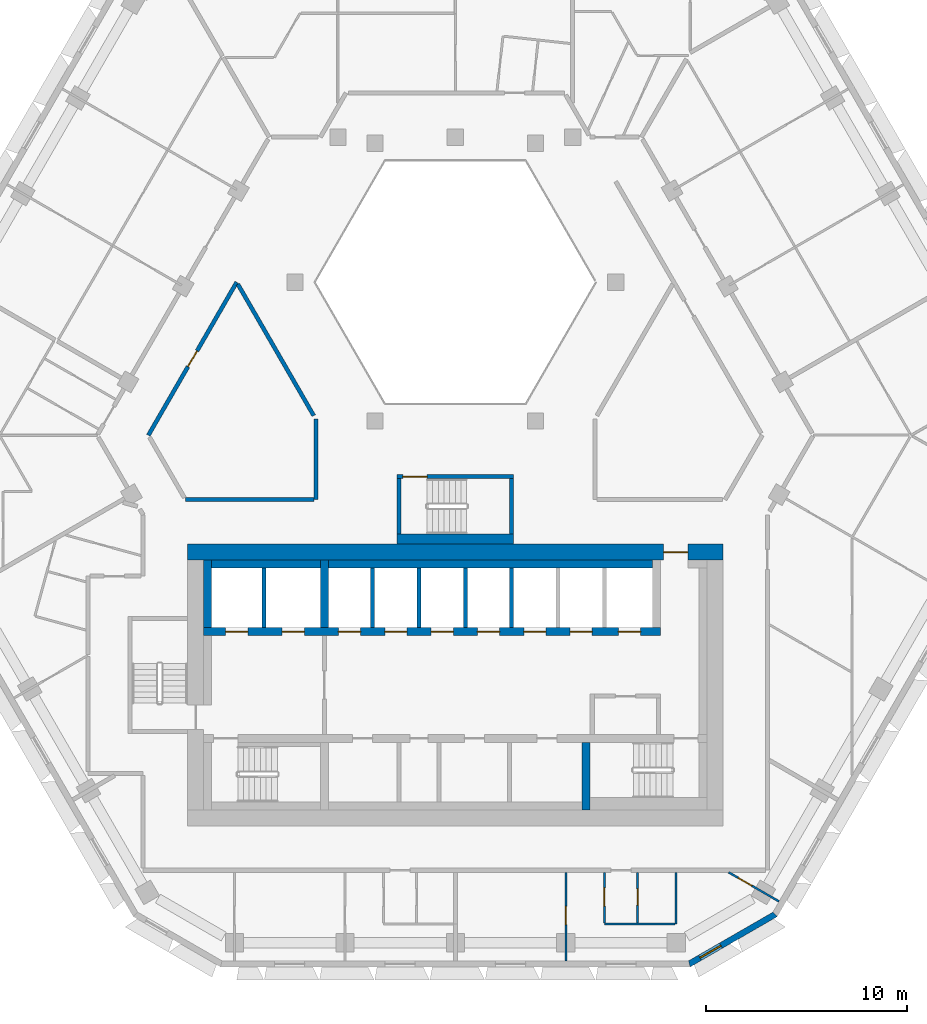
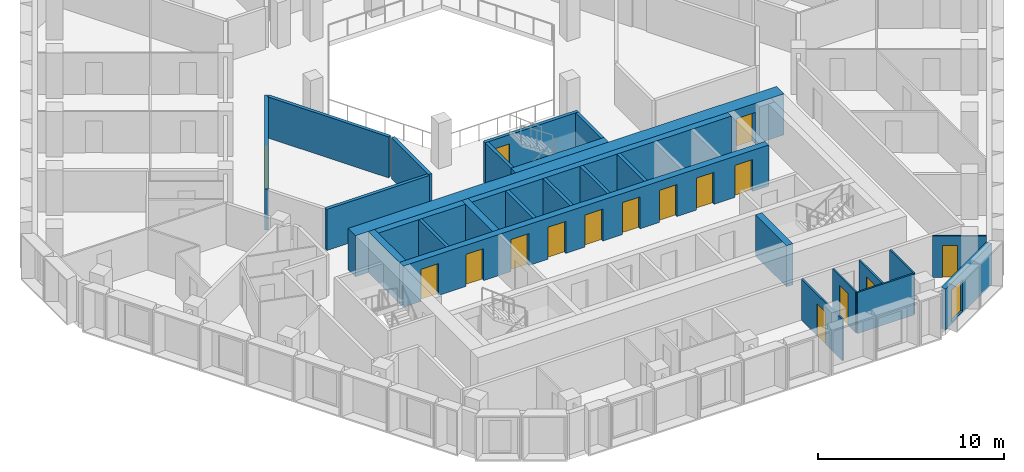
# One storey, part 5 of 15: 27 walls, 16 doors, 1 window, 17 openings.
"""IFC4 building model written with IfcOpenShell, lengths in metres."""

import ifcopenshell
import ifcopenshell.guid

model = None  # the IFC model being written
_history = None  # IfcOwnerHistory: only IFC2X3 demands one
_inside = {}  # id of a spatial element -> (the spatial element, [elements in it])
_under = {}  # id of a project, library or spatial element -> (it, [spatial elements below it])
_declared = {}  # id of a project -> (the project, [libraries it declares])
_typed = {}  # id of a type object -> (the type object, [elements of that type])
_made_of = {}  # id of a material, layer set ... -> (it, [elements and type objects made of it])


def new_model(schema):
    """Start an empty IFC model of exactly this schema.

    Asked for "IFC4X3", IfcOpenShell would pick the latest addendum, in which some entities
    have other attributes; the version numbers below select the first issue.
    IFC2X3 requires an IfcOwnerHistory on every rooted entity: one is made here for all.
    """
    global model, _history
    if schema == "IFC4X3":
        model = ifcopenshell.file(schema_version=(4, 3, 0, 0))
    else:
        model = ifcopenshell.file(schema=schema)
    _inside.clear()
    _under.clear()
    _declared.clear()
    _typed.clear()
    _made_of.clear()
    _history = None
    if model.schema == "IFC2X3":
        org = make("IfcOrganization", Name="unknown")
        user = make(
            "IfcPersonAndOrganization",
            ThePerson=make("IfcPerson", FamilyName="unknown"),
            TheOrganization=org,
        )
        app = make(
            "IfcApplication",
            ApplicationDeveloper=org,
            Version="unknown",
            ApplicationFullName="unknown",
            ApplicationIdentifier="unknown",
        )
        _history = make(
            "IfcOwnerHistory",
            OwningUser=user,
            OwningApplication=app,
            ChangeAction="ADDED",
            CreationDate=0,
        )
    return model


def make(cls, **values):
    """One entity of the class cls with the attributes given. An attribute that is None is left unset."""
    return model.create_entity(
        cls, **{name: value for name, value in values.items() if value is not None}
    )


def rooted(cls, **values):
    """An entity with a GlobalId (a new one), such as an element, a storey or a relation."""
    return make(cls, GlobalId=ifcopenshell.guid.new(), OwnerHistory=_history, **values)


def si_unit(unit_type, name, prefix=None):
    """IfcSIUnit, for example si_unit("LENGTHUNIT", "METRE", prefix="MILLI")."""
    return make("IfcSIUnit", UnitType=unit_type, Prefix=prefix, Name=name)


def assignment(units):
    """IfcUnitAssignment: the units of a project."""
    return None if units is None else make("IfcUnitAssignment", Units=units)


def point(xyz):
    """IfcCartesianPoint."""
    return None if xyz is None else make("IfcCartesianPoint", Coordinates=xyz)


def direction(xyz):
    """IfcDirection."""
    return None if xyz is None else make("IfcDirection", DirectionRatios=xyz)


def frame(location, z_axis=None, x_axis=None):
    """IfcAxis2Placement3D, a coordinate frame: its origin and axes. An axis left out is left unset."""
    return make(
        "IfcAxis2Placement3D",
        Location=point(location),
        Axis=direction(z_axis),
        RefDirection=direction(x_axis),
    )


def frame_2d(location, x_axis=None):
    """IfcAxis2Placement2D, a coordinate frame in the plane: its origin and x axis."""
    return make(
        "IfcAxis2Placement2D", Location=point(location), RefDirection=direction(x_axis)
    )


def origin():
    """The frame at (0, 0, 0) with its axes left unset."""
    return frame((0.0, 0.0, 0.0))


def place(relative_to, where):
    """IfcLocalPlacement: puts the frame where relative to a parent placement (None: the world)."""
    return make(
        "IfcLocalPlacement", PlacementRelTo=relative_to, RelativePlacement=where
    )


def context(
    kind, dimensions, precision=None, world=None, true_north=None, identifier=None
):
    """IfcGeometricRepresentationContext, for example the 3D "Model" context."""
    return make(
        "IfcGeometricRepresentationContext",
        ContextIdentifier=identifier,
        ContextType=kind,
        CoordinateSpaceDimension=dimensions,
        Precision=precision,
        WorldCoordinateSystem=world,
        TrueNorth=true_north,
    )


def subcontext(parent, identifier, kind, view, scale=None):
    """IfcGeometricRepresentationSubContext, for example "Body" below "Model"."""
    return make(
        "IfcGeometricRepresentationSubContext",
        ContextIdentifier=identifier,
        ContextType=kind,
        ParentContext=parent,
        TargetScale=scale,
        TargetView=view,
    )


def project(units=None, contexts=None):
    """IfcProject with its units and contexts."""
    return rooted(
        "IfcProject",
        Name="project",
        RepresentationContexts=contexts,
        UnitsInContext=assignment(units),
    )


def spatial(cls, under=None, at=None, **own):
    """A site, building, storey or space (cls), placed at a placement, below another one or the project."""
    s = rooted(cls, ObjectPlacement=at, **own)
    if under is not None:
        _under.setdefault(under.id(), (under, []))[1].append(s)
    return s


def polyline(points):
    """IfcPolyline through the points."""
    return make("IfcPolyline", Points=[point(p) for p in points])


def profile(cls, at=None, kind="AREA", **sizes):
    """A parametric profile (cls). Its sizes go by their IFC names, for example OverallWidth=200.0."""
    return make(cls, ProfileType=kind, Position=at, **sizes)


def rectangle(**sizes):
    """IfcRectangleProfileDef."""
    return profile("IfcRectangleProfileDef", **sizes)


def outline(outer, holes=None, kind="AREA"):
    """IfcArbitraryClosedProfileDef: a profile drawn as a closed curve; with holes, ...WithVoids."""
    if holes is None:
        return make("IfcArbitraryClosedProfileDef", ProfileType=kind, OuterCurve=outer)
    return make(
        "IfcArbitraryProfileDefWithVoids",
        ProfileType=kind,
        OuterCurve=outer,
        InnerCurves=holes,
    )


def extrude(swept, where, along, depth):
    """IfcExtrudedAreaSolid: the profile swept, set in the frame where, extruded along a direction by depth."""
    return make(
        "IfcExtrudedAreaSolid",
        SweptArea=swept,
        Position=where,
        ExtrudedDirection=direction(along),
        Depth=depth,
    )


def shape(context_of_items, identifier, shape_type, items):
    """IfcShapeRepresentation: the items that make up one representation, for example the "Body"."""
    return make(
        "IfcShapeRepresentation",
        ContextOfItems=context_of_items,
        RepresentationIdentifier=identifier,
        RepresentationType=shape_type,
        Items=items,
    )


def material(Name=None, Category=None):
    """IfcMaterial."""
    return make("IfcMaterial", Name=Name, Category=Category)


def layer(
    of_material, thickness, ventilated=None, Name=None, Category=None, Priority=None
):
    """IfcMaterialLayer: one layer of a wall or slab, of a material (None: an air gap)."""
    return make(
        "IfcMaterialLayer",
        Material=of_material,
        LayerThickness=thickness,
        IsVentilated=ventilated,
        Name=Name,
        Category=Category,
        Priority=Priority,
    )


def layer_set(layers, Name=None):
    """IfcMaterialLayerSet."""
    return make("IfcMaterialLayerSet", MaterialLayers=layers, LayerSetName=Name)


def made_of(thing, what):
    """Note that an element or type object is made of a material, layer set ...; save() writes the relation."""
    if what is not None:
        _made_of.setdefault(what.id(), (what, []))[1].append(thing)
    return thing


def type_object(cls, material=None, **own):
    """A type object (cls), such as IfcWallType, which elements share."""
    return made_of(rooted(cls, **own), material)


def element(
    cls,
    number,
    at=None,
    inside=None,
    cuts=None,
    type_object=None,
    material=None,
    context=None,
    identifier="Body",
    shape_type=None,
    held_by="IfcProductDefinitionShape",
    body=None,
    shapes=None,
    **own,
):
    """One element of the class cls, such as IfcWall. Its Tag is "e" and its number.

    at: its placement. inside: the storey or other place that contains it. cuts: it is an
    opening in that element (IfcRelVoidsElement). A single representation is given by context,
    identifier, shape_type and body (its items); several are given by shapes. held_by: the class
    of the entity that holds the representations. save() writes the other relations.
    """
    e = rooted(cls, Tag="e%d" % number, ObjectPlacement=at, **own)
    if body is not None:
        shapes = [shape(context, identifier, shape_type, body)]
    if shapes is not None:
        e.Representation = make(held_by, Representations=shapes)
    if inside is not None:
        _inside.setdefault(inside.id(), (inside, []))[1].append(e)
    if cuts is not None:
        rooted(
            "IfcRelVoidsElement", RelatingBuildingElement=cuts, RelatedOpeningElement=e
        )
    if type_object is not None:
        _typed.setdefault(type_object.id(), (type_object, []))[1].append(e)
    return made_of(e, material)


def fill(opening, filler):
    """IfcRelFillsElement: the door or window that sits in an opening."""
    return rooted(
        "IfcRelFillsElement",
        RelatingOpeningElement=opening,
        RelatedBuildingElement=filler,
    )


def aggregate(whole, parts):
    """IfcRelAggregates: a whole, such as a stair, and the parts it consists of."""
    return rooted("IfcRelAggregates", RelatingObject=whole, RelatedObjects=parts)


def save(model, path):
    """Write the relations noted so far, then the file.

    IfcRelAggregates (storeys below a building ...), IfcRelContainedInSpatialStructure (elements
    in a storey), IfcRelDefinesByType, IfcRelAssociatesMaterial and IfcRelDeclares: one each for
    every whole, place, type object, material and project.
    """
    for whole, parts in _under.values():
        aggregate(whole, parts)
    for where, things in _inside.values():
        rooted(
            "IfcRelContainedInSpatialStructure",
            RelatedElements=things,
            RelatingStructure=where,
        )
    for kind, things in _typed.values():
        rooted("IfcRelDefinesByType", RelatedObjects=things, RelatingType=kind)
    for what, things in _made_of.values():
        rooted("IfcRelAssociatesMaterial", RelatedObjects=things, RelatingMaterial=what)
    for by, libraries in _declared.values():
        rooted("IfcRelDeclares", RelatingContext=by, RelatedDefinitions=libraries)
    model.write(path)


model = new_model("IFC4")

# Units and contexts
model_context = context("Model", 3, precision=1e-05, world=origin(), true_north=direction((0.0, 1.0)))
body_context = subcontext(model_context, "Body", "Model", "MODEL_VIEW")
ifc_project = project(units=[si_unit("LENGTHUNIT", "METRE"), si_unit("AREAUNIT", "SQUARE_METRE"), si_unit("VOLUMEUNIT", "CUBIC_METRE"), si_unit("PLANEANGLEUNIT", "RADIAN"), si_unit("MASSUNIT", "GRAM", prefix="KILO")], contexts=[model_context])

# Site, building, storey
site_placement = place(None, origin())
site = spatial("IfcSite", under=ifc_project, at=site_placement, CompositionType="ELEMENT")
building_placement = place(site_placement, origin())
building = spatial("IfcBuilding", under=site, at=building_placement, Name="Beryl Residences", CompositionType="ELEMENT")
storey_placement = place(building_placement, frame((0.0, 0.0, 129.60009765625)))
storey = spatial("IfcBuildingStorey", under=building, at=storey_placement, Name="L39", CompositionType="ELEMENT", Elevation=129.60009765625)

# Wall, opening, window
ifc_material_1 = material(Name="Composite metal panel with mineral wool insulation")
ifc_layer_1 = layer(ifc_material_1, 0.300048828125)
ifc_layer_set_1 = layer_set([ifc_layer_1], Name="ES1 pale metal composite panel wall 300 mm")
wall_type_1 = type_object("IfcWallType", Name="ES1 pale metal composite panel wall 300 mm", PredefinedType="SOLIDWALL", material=ifc_layer_set_1)
wall_1_placement = place(storey_placement, frame((11.5869140625, -25.8701171875, 0.0), z_axis=(0.0, 0.0, 1.0), x_axis=(0.866022959057, 0.500004234368, 0.0)))
wall_1 = element("IfcWall", 1, at=wall_1_placement, inside=storey, type_object=wall_type_1, Name="ES1 external wall L39 S-SE", PredefinedType="SOLIDWALL", context=body_context, shape_type="SweptSolid", body=[
    extrude(outline(polyline([(0.0, -0.14990234375), (5.0, -0.14990234375), (4.919677734375, 0.14990234375), (0.080322265625, 0.14990234375), (0.0, -0.14990234375)])), origin(), (0.0, 0.0, 1.0), 2.699951171875),
])
opening_1_placement = place(wall_1_placement, frame((0.64990234375, 0.0, 0.14990234375)))
opening_1 = element("IfcOpeningElement", 2, at=opening_1_placement, cuts=wall_1, Name="Opening W2", PredefinedType="OPENING", context=body_context, shape_type="SweptSolid", body=[
    extrude(rectangle(XDim=1.199951171875, YDim=2.10009765625, at=frame_2d((0.60009765625, 1.050048828125))), frame((0.0, 0.159912109375, 0.0), z_axis=(0.0, -1.0, 0.0), x_axis=(1.0, 0.0, 0.0)), (0.0, 0.0, 1.0), 0.320068359375),
])
ifc_material_2 = material(Name="Aluminium and clear glass", Category="aluminium")
window_type = type_object("IfcWindowType", Name="W2 chamfer window 1200 x 2100 mm", PartitioningType="SINGLE_PANEL", PredefinedType="WINDOW", material=ifc_material_2)
window_placement = place(opening_1_placement, origin())
window = element("IfcWindow", 3, at=window_placement, inside=storey, type_object=window_type, Name="W2 window L39 S-SE 1", OverallHeight=2.10009765625, OverallWidth=1.199951171875, PartitioningType="SINGLE_PANEL", PredefinedType="WINDOW", context=body_context, shape_type="SweptSolid", body=[
    extrude(rectangle(XDim=1.199951171875, YDim=2.10009765625, at=frame_2d((0.60009765625, 1.050048828125))), frame((0.0, 0.030029296875, 0.0), z_axis=(0.0, -1.0, 0.0), x_axis=(1.0, 0.0, 0.0)), (0.0, 0.0, 1.0), 0.06005859375),
])
fill(opening_1, window)

# Wall, opening, door
ifc_material_3 = material(Name="Gypsum board partition on steel studs", Category="steel")
ifc_layer_2 = layer(ifc_material_3, 0.10009765625)
ifc_layer_set_2 = layer_set([ifc_layer_2], Name="PT1 partition 100 mm gypsum board on steel studs")
wall_type_2 = type_object("IfcWallType", Name="PT1 partition 100 mm gypsum board on steel studs", PredefinedType="PARTITIONING", material=ifc_layer_set_2)
wall_2_placement = place(storey_placement, frame((7.406005859375, -21.300048828125, 0.0), z_axis=(0.0, 0.0, 1.0), x_axis=(0.0, -1.0, 0.0)))
wall_2 = element("IfcWall", 4, at=wall_2_placement, inside=storey, type_object=wall_type_2, Name="Wall PT1 L39 008", PredefinedType="PARTITIONING", context=body_context, shape_type="SweptSolid", body=[
    extrude(rectangle(XDim=2.509033203125, YDim=0.10009765625, at=frame_2d((1.25439453125, 0.0))), origin(), (0.0, 0.0, 1.0), 2.699951171875),
])
opening_2_placement = place(wall_2_placement, frame((0.780029296875, 0.0, 0.0)))
opening_2 = element("IfcOpeningElement", 5, at=opening_2_placement, cuts=wall_2, Name="Opening D1207", PredefinedType="OPENING", context=body_context, shape_type="SweptSolid", body=[
    extrude(rectangle(XDim=0.89990234375, YDim=2.10009765625, at=frame_2d((0.449951171875, 1.050048828125))), frame((0.0, 0.06005859375, 0.0), z_axis=(0.0, -1.0, 0.0), x_axis=(1.0, 0.0, 0.0)), (0.0, 0.0, 1.0), 0.1201171875),
])
ifc_material_4 = material(Name="Timber door leaf", Category="wood")
door_type_1 = type_object("IfcDoorType", Name="D2 room door 900 x 2100 mm", OperationType="SINGLE_SWING_LEFT", PredefinedType="DOOR", material=ifc_material_4)
door_1_placement = place(opening_2_placement, origin())
door_1 = element("IfcDoor", 6, at=door_1_placement, inside=storey, type_object=door_type_1, Name="Door D1207 L39 001", OperationType="SINGLE_SWING_LEFT", OverallHeight=2.10009765625, OverallWidth=0.89990234375, PredefinedType="DOOR", context=body_context, shape_type="SweptSolid", body=[
    extrude(rectangle(XDim=0.89990234375, YDim=2.10009765625, at=frame_2d((0.449951171875, 1.050048828125))), frame((0.0, 0.02490234375, 0.0), z_axis=(0.0, -1.0, 0.0), x_axis=(1.0, 0.0, 0.0)), (0.0, 0.0, 1.0), 0.050048828125),
])
fill(opening_2, door_1)

wall_3_placement = place(storey_placement, frame((13.568115234375, -21.300048828125, 0.0), z_axis=(0.0, 0.0, 1.0), x_axis=(0.865885342641, -0.500242514586, 0.0)))
wall_3 = element("IfcWall", 7, at=wall_3_placement, inside=storey, type_object=wall_type_2, Name="Wall PT1 L39 014", PredefinedType="PARTITIONING", context=body_context, shape_type="SweptSolid", body=[
    extrude(rectangle(XDim=2.8984375, YDim=0.10009765625, at=frame_2d((1.44921875, 0.0))), origin(), (0.0, 0.0, 1.0), 2.699951171875),
])
opening_3_placement = place(wall_3_placement, frame((0.550048828125, 0.0, 0.0)))
opening_3 = element("IfcOpeningElement", 8, at=opening_3_placement, cuts=wall_3, Name="Opening D1210", PredefinedType="OPENING", context=body_context, shape_type="SweptSolid", body=[
    extrude(rectangle(XDim=0.800048828125, YDim=2.10009765625, at=frame_2d((0.39990234375, 1.050048828125))), frame((0.0, 0.06005859375, 0.0), z_axis=(0.0, -1.0, 0.0), x_axis=(1.0, 0.0, 0.0)), (0.0, 0.0, 1.0), 0.1201171875),
])
ifc_material_5 = material(Name="Timber door leaf", Category="wood")
door_type_2 = type_object("IfcDoorType", Name="D13 room door 800 x 2100 mm", OperationType="SINGLE_SWING_LEFT", PredefinedType="DOOR", material=ifc_material_5)
door_2_placement = place(opening_3_placement, origin())
door_2 = element("IfcDoor", 9, at=door_2_placement, inside=storey, type_object=door_type_2, Name="Door D1210 L39 001", OperationType="SINGLE_SWING_RIGHT", OverallHeight=2.10009765625, OverallWidth=0.800048828125, PredefinedType="DOOR", context=body_context, shape_type="SweptSolid", body=[
    extrude(rectangle(XDim=0.800048828125, YDim=2.10009765625, at=frame_2d((0.39990234375, 1.050048828125))), frame((0.0, 0.02490234375, 0.0), z_axis=(0.0, -1.0, 0.0), x_axis=(1.0, 0.0, 0.0)), (0.0, 0.0, 1.0), 0.050048828125),
])
fill(opening_3, door_2)

# Wall
wall_4_placement = place(storey_placement, frame((7.406982421875, -23.860107421875, 0.0), z_axis=(0.0, 0.0, 1.0), x_axis=(1.0, 0.0, 0.0)))
element("IfcWall", 10, at=wall_4_placement, inside=storey, type_object=wall_type_2, Name="Wall PT1 L39 021", PredefinedType="PARTITIONING", context=body_context, shape_type="SweptSolid", body=[
    extrude(rectangle(XDim=3.512939453125, YDim=0.10009765625, at=frame_2d((1.75634765625, 0.0))), origin(), (0.0, 0.0, 1.0), 2.699951171875),
])

# Wall, opening, door
wall_5_placement = place(storey_placement, frame((5.486083984375, -25.699951171875, 0.0), z_axis=(0.0, 0.0, 1.0), x_axis=(0.0, 1.0, 0.0)))
wall_5 = element("IfcWall", 11, at=wall_5_placement, inside=storey, type_object=wall_type_2, Name="Wall PT1 L39 038", PredefinedType="PARTITIONING", context=body_context, shape_type="SweptSolid", body=[
    extrude(rectangle(XDim=4.39990234375, YDim=0.10009765625, at=frame_2d((2.199951171875, 0.0))), origin(), (0.0, 0.0, 1.0), 2.699951171875),
])
opening_4_placement = place(wall_5_placement, frame((1.800048828125, 0.0, 0.0)))
opening_4 = element("IfcOpeningElement", 12, at=opening_4_placement, cuts=wall_5, Name="Opening D1209", PredefinedType="OPENING", context=body_context, shape_type="SweptSolid", body=[
    extrude(rectangle(XDim=0.89990234375, YDim=2.10009765625, at=frame_2d((0.449951171875, 1.050048828125))), frame((0.0, 0.06005859375, 0.0), z_axis=(0.0, -1.0, 0.0), x_axis=(1.0, 0.0, 0.0)), (0.0, 0.0, 1.0), 0.1201171875),
])
door_3_placement = place(opening_4_placement, origin())
door_3 = element("IfcDoor", 13, at=door_3_placement, inside=storey, type_object=door_type_1, Name="Door D1209 L39 001", OperationType="SINGLE_SWING_LEFT", OverallHeight=2.10009765625, OverallWidth=0.89990234375, PredefinedType="DOOR", context=body_context, shape_type="SweptSolid", body=[
    extrude(rectangle(XDim=0.89990234375, YDim=2.10009765625, at=frame_2d((0.449951171875, 1.050048828125))), frame((0.0, 0.02490234375, 0.0), z_axis=(0.0, -1.0, 0.0), x_axis=(1.0, 0.0, 0.0)), (0.0, 0.0, 1.0), 0.050048828125),
])
fill(opening_4, door_3)

wall_6_placement = place(storey_placement, frame((9.051025390625, -23.81005859375, 0.0), z_axis=(0.0, 0.0, 1.0), x_axis=(0.0, 1.0, 0.0)))
wall_6 = element("IfcWall", 14, at=wall_6_placement, inside=storey, type_object=wall_type_2, Name="Wall PT1 L39 039", PredefinedType="PARTITIONING", context=body_context, shape_type="SweptSolid", body=[
    extrude(rectangle(XDim=2.510009765625, YDim=0.10009765625, at=frame_2d((1.2548828125, 0.0))), origin(), (0.0, 0.0, 1.0), 2.699951171875),
])
opening_5_placement = place(wall_6_placement, frame((0.8798828125, 0.0, 0.0)))
opening_5 = element("IfcOpeningElement", 15, at=opening_5_placement, cuts=wall_6, Name="Opening D1208", PredefinedType="OPENING", context=body_context, shape_type="SweptSolid", body=[
    extrude(rectangle(XDim=0.800048828125, YDim=2.10009765625, at=frame_2d((0.39990234375, 1.050048828125))), frame((0.0, 0.06005859375, 0.0), z_axis=(0.0, -1.0, 0.0), x_axis=(1.0, 0.0, 0.0)), (0.0, 0.0, 1.0), 0.1201171875),
])
ifc_material_6 = material(Name="Timber door leaf", Category="wood")
door_type_3 = type_object("IfcDoorType", Name="D3 bathroom door 800 x 2100 mm", OperationType="SINGLE_SWING_LEFT", PredefinedType="DOOR", material=ifc_material_6)
door_4_placement = place(opening_5_placement, origin())
door_4 = element("IfcDoor", 16, at=door_4_placement, inside=storey, type_object=door_type_3, Name="Door D1208 L39 001", OperationType="SINGLE_SWING_RIGHT", OverallHeight=2.10009765625, OverallWidth=0.800048828125, PredefinedType="DOOR", context=body_context, shape_type="SweptSolid", body=[
    extrude(rectangle(XDim=0.800048828125, YDim=2.10009765625, at=frame_2d((0.39990234375, 1.050048828125))), frame((0.0, 0.02490234375, 0.0), z_axis=(0.0, -1.0, 0.0), x_axis=(1.0, 0.0, 0.0)), (0.0, 0.0, 1.0), 0.050048828125),
])
fill(opening_5, door_4)

# Walls
wall_7_placement = place(storey_placement, frame((10.970947265625, -23.85888671875, 0.0), z_axis=(0.0, 0.0, 1.0), x_axis=(0.0, 1.0, 0.0)))
element("IfcWall", 17, at=wall_7_placement, inside=storey, type_object=wall_type_2, Name="Wall PT1 L39 040", PredefinedType="PARTITIONING", context=body_context, shape_type="SweptSolid", body=[
    extrude(rectangle(XDim=2.558837890625, YDim=0.10009765625, at=frame_2d((1.279296875, 0.0))), origin(), (0.0, 0.0, 1.0), 2.699951171875),
])
ifc_material_7 = material(Name="Double stud gypsum board wall")
ifc_layer_3 = layer(ifc_material_7, 0.199951171875)
ifc_layer_set_3 = layer_set([ifc_layer_3], Name="PT4 corridor wall 200 mm double stud")
wall_type_3 = type_object("IfcWallType", Name="PT4 corridor wall 200 mm double stud", PredefinedType="PARTITIONING", material=ifc_layer_set_3)
wall_8_placement = place(storey_placement, frame((-10.7958984375, 7.89990234375, 0.0), z_axis=(0.0, 0.0, 1.0), x_axis=(0.499954271211, -0.866051803703, 0.0)))
element("IfcWall", 18, at=wall_8_placement, inside=storey, type_object=wall_type_3, Name="Wall PT4 L39 001", PredefinedType="PARTITIONING", context=body_context, shape_type="SweptSolid", body=[
    extrude(rectangle(XDim=7.536376953125, YDim=0.199951171875, at=frame_2d((3.76806640625, 0.0))), origin(), (0.0, 0.0, 1.0), 2.699951171875),
])
wall_9_placement = place(storey_placement, frame((-13.39501953125, -2.800048828125, 0.0), z_axis=(0.0, 0.0, 1.0), x_axis=(1.0, 0.0, 0.0)))
element("IfcWall", 19, at=wall_9_placement, inside=storey, type_object=wall_type_3, Name="Wall PT4 L39 013", PredefinedType="PARTITIONING", context=body_context, shape_type="SweptSolid", body=[
    extrude(rectangle(XDim=6.366943359375, YDim=0.199951171875, at=frame_2d((3.18359375, 0.0))), origin(), (0.0, 0.0, 1.0), 2.699951171875),
])

# Wall, opening, door
wall_10_placement = place(storey_placement, frame((-15.241943359375, 0.39892578125, 0.0), z_axis=(0.0, 0.0, 1.0), x_axis=(0.499953615651, 0.866052182145, 0.0)))
wall_10 = element("IfcWall", 20, at=wall_10_placement, inside=storey, type_object=wall_type_3, Name="Wall PT4 L39 021", PredefinedType="PARTITIONING", context=body_context, shape_type="SweptSolid", body=[
    extrude(rectangle(XDim=8.776611328125, YDim=0.199951171875, at=frame_2d((4.38818359375, 0.0))), origin(), (0.0, 0.0, 1.0), 2.699951171875),
])
opening_6_placement = place(wall_10_placement, frame((3.93798828125, 0.0, 0.0)))
opening_6 = element("IfcOpeningElement", 21, at=opening_6_placement, cuts=wall_10, Name="Opening D1254", PredefinedType="OPENING", context=body_context, shape_type="SweptSolid", body=[
    extrude(rectangle(XDim=0.89990234375, YDim=2.10009765625, at=frame_2d((0.449951171875, 1.050048828125))), frame((0.0, 0.10986328125, 0.0), z_axis=(0.0, -1.0, 0.0), x_axis=(1.0, 0.0, 0.0)), (0.0, 0.0, 1.0), 0.219970703125),
])
door_5_placement = place(opening_6_placement, origin())
door_5 = element("IfcDoor", 22, at=door_5_placement, inside=storey, type_object=door_type_1, Name="Door D1254 L39 001", OperationType="SINGLE_SWING_RIGHT", OverallHeight=2.10009765625, OverallWidth=0.89990234375, PredefinedType="DOOR", context=body_context, shape_type="SweptSolid", body=[
    extrude(rectangle(XDim=0.89990234375, YDim=2.10009765625, at=frame_2d((0.449951171875, 1.050048828125))), frame((0.0, 0.02490234375, 0.0), z_axis=(0.0, -1.0, 0.0), x_axis=(1.0, 0.0, 0.0)), (0.0, 0.0, 1.0), 0.050048828125),
])
fill(opening_6, door_5)

# Wall
wall_11_placement = place(storey_placement, frame((-6.927978515625, -2.800048828125, 0.0), z_axis=(0.0, 0.0, 1.0), x_axis=(0.0, 1.0, 0.0)))
element("IfcWall", 23, at=wall_11_placement, inside=storey, type_object=wall_type_3, Name="Wall PT4 L39 026", PredefinedType="PARTITIONING", context=body_context, shape_type="SweptSolid", body=[
    extrude(rectangle(XDim=4.0, YDim=0.199951171875, at=frame_2d((2.0, 0.0))), origin(), (0.0, 0.0, 1.0), 2.699951171875),
])

# Wall, opening, door
ifc_material_8 = material(Name="Concrete C40/50", Category="concrete")
ifc_layer_4 = layer(ifc_material_8, 0.199951171875)
ifc_layer_set_4 = layer_set([ifc_layer_4], Name="PT5 stair enclosure wall 200 mm reinforced concrete C40/50")
wall_type_4 = type_object("IfcWallType", Name="PT5 stair enclosure wall 200 mm reinforced concrete C40/50", PredefinedType="SOLIDWALL", material=ifc_layer_set_4)
wall_12_placement = place(storey_placement, frame((-2.89990234375, -1.64990234375, 0.0), z_axis=(0.0, 0.0, 1.0), x_axis=(1.0, 0.0, 0.0)))
wall_12 = element("IfcWall", 24, at=wall_12_placement, inside=storey, type_object=wall_type_4, Name="Wall PT5 L39 001", PredefinedType="SOLIDWALL", context=body_context, shape_type="SweptSolid", body=[
    extrude(rectangle(XDim=5.7998046875, YDim=0.199951171875, at=frame_2d((2.89990234375, 0.0))), origin(), (0.0, 0.0, 1.0), 2.699951171875),
])
opening_7_placement = place(wall_12_placement, frame((0.300048828125, 0.0, 0.0)))
opening_7 = element("IfcOpeningElement", 25, at=opening_7_placement, cuts=wall_12, Name="Opening DS04", PredefinedType="OPENING", context=body_context, shape_type="SweptSolid", body=[
    extrude(rectangle(XDim=1.199951171875, YDim=2.10009765625, at=frame_2d((0.60009765625, 1.050048828125))), frame((0.0, 0.10986328125, 0.0), z_axis=(0.0, -1.0, 0.0), x_axis=(1.0, 0.0, 0.0)), (0.0, 0.0, 1.0), 0.219970703125),
])
ifc_material_9 = material(Name="Steel door leaf in steel frame", Category="steel")
door_type_4 = type_object("IfcDoorType", Name="D4 stair door 1200 x 2100 mm", OperationType="SINGLE_SWING_LEFT", PredefinedType="DOOR", material=ifc_material_9)
door_6_placement = place(opening_7_placement, origin())
door_6 = element("IfcDoor", 26, at=door_6_placement, inside=storey, type_object=door_type_4, Name="Door DS04 L39 001", OperationType="SINGLE_SWING_LEFT", OverallHeight=2.10009765625, OverallWidth=1.199951171875, PredefinedType="DOOR", context=body_context, shape_type="SweptSolid", body=[
    extrude(rectangle(XDim=1.199951171875, YDim=2.10009765625, at=frame_2d((0.60009765625, 1.050048828125))), frame((0.0, 0.02490234375, 0.0), z_axis=(0.0, -1.0, 0.0), x_axis=(1.0, 0.0, 0.0)), (0.0, 0.0, 1.0), 0.050048828125),
])
fill(opening_7, door_6)

# Walls
for number, where, z_axis, x_axis, name in (
    (27, (-2.800048828125, -4.5, 0.0), (0.0, 0.0, 1.0), (0.0, 1.0, 0.0), "Wall PT5 L39 002"),
    (28, (2.800048828125, -4.5, 0.0), (0.0, 0.0, 1.0), (0.0, 1.0, 0.0), "Wall PT5 L39 003"),
):
    element("IfcWall", number, at=place(storey_placement, frame(where, z_axis=z_axis, x_axis=x_axis)), inside=storey, type_object=wall_type_4, Name=name, PredefinedType="SOLIDWALL", context=body_context, shape_type="SweptSolid", body=[
        extrude(rectangle(XDim=2.75, YDim=0.199951171875, at=frame_2d((1.375, 0.0))), origin(), (0.0, 0.0, 1.0), 2.699951171875),
    ])
ifc_material_10 = material(Name="Concrete C40/50", Category="concrete")
ifc_layer_5 = layer(ifc_material_10, 0.5)
ifc_layer_set_5 = layer_set([ifc_layer_5], Name="PT5-500 stair enclosure wall 500 mm")
wall_type_5 = type_object("IfcWallType", Name="PT5-500 stair enclosure wall 500 mm", PredefinedType="SOLIDWALL", material=ifc_layer_set_5)
wall_13_placement = place(storey_placement, frame((-2.89990234375, -4.75, 0.0), z_axis=(0.0, 0.0, 1.0), x_axis=(1.0, 0.0, 0.0)))
element("IfcWall", 29, at=wall_13_placement, inside=storey, type_object=wall_type_5, Name="Wall PT5-500 L39 001", PredefinedType="SOLIDWALL", context=body_context, shape_type="SweptSolid", body=[
    extrude(rectangle(XDim=5.7998046875, YDim=0.5, at=frame_2d((2.89990234375, 0.0))), origin(), (0.0, 0.0, 1.0), 2.699951171875),
])
ifc_material_11 = material(Name="Concrete C40/50", Category="concrete")
ifc_layer_6 = layer(ifc_material_11, 0.199951171875)
ifc_layer_set_6 = layer_set([ifc_layer_6], Name="PT6 lift shaft wall 200 mm reinforced concrete C40/50")
wall_type_6 = type_object("IfcWallType", Name="PT6 lift shaft wall 200 mm reinforced concrete C40/50", PredefinedType="SOLIDWALL", material=ifc_layer_set_6)
for number, where, z_axis, x_axis, name in (
    (30, (-9.5, -9.14990234375, 0.0), (0.0, 0.0, 1.0), (0.0, 1.0, 0.0), "Lift shaft wall 10"),
    (31, (-4.10009765625, -9.14990234375, 0.0), (0.0, 0.0, 1.0), (0.0, 1.0, 0.0), "Lift shaft wall 14"),
    (32, (-1.800048828125, -9.14990234375, 0.0), (0.0, 0.0, 1.0), (0.0, 1.0, 0.0), "Lift shaft wall 16"),
    (33, (0.5, -9.14990234375, 0.0), (0.0, 0.0, 1.0), (0.0, 1.0, 0.0), "Lift shaft wall 18"),
    (34, (2.800048828125, -9.14990234375, 0.0), (0.0, 0.0, 1.0), (0.0, 1.0, 0.0), "Lift shaft wall 20"),
):
    element("IfcWall", number, at=place(storey_placement, frame(where, z_axis=z_axis, x_axis=x_axis)), inside=storey, type_object=wall_type_6, Name=name, PredefinedType="SOLIDWALL", context=body_context, shape_type="SweptSolid", body=[
        extrude(rectangle(XDim=2.949951171875, YDim=0.199951171875, at=frame_2d((1.47509765625, 0.0))), origin(), (0.0, 0.0, 1.0), 2.699951171875),
    ])
ifc_material_12 = material(Name="Concrete C40/50", Category="concrete")
ifc_layer_7 = layer(ifc_material_12, 0.39990234375)
ifc_layer_set_7 = layer_set([ifc_layer_7], Name="PT6-400 lift shaft wall 400 mm")
wall_type_7 = type_object("IfcWallType", Name="PT6-400 lift shaft wall 400 mm", PredefinedType="SOLIDWALL", material=ifc_layer_set_7)
wall_14_placement = place(storey_placement, frame((-12.300048828125, -9.14990234375, 0.0), z_axis=(0.0, 0.0, 1.0), x_axis=(0.0, 1.0, 0.0)))
element("IfcWall", 35, at=wall_14_placement, inside=storey, type_object=wall_type_7, Name="Lift shaft wall 06", PredefinedType="SOLIDWALL", context=body_context, shape_type="SweptSolid", body=[
    extrude(rectangle(XDim=3.349853515625, YDim=0.39990234375, at=frame_2d((1.6748046875, 0.0))), origin(), (0.0, 0.0, 1.0), 2.699951171875),
])
wall_15_placement = place(storey_placement, frame((-12.10009765625, -6.0, 0.0), z_axis=(0.0, 0.0, 1.0), x_axis=(1.0, 0.0, 0.0)))
element("IfcWall", 36, at=wall_15_placement, inside=storey, type_object=wall_type_7, Name="Lift shaft wall 08", PredefinedType="SOLIDWALL", context=body_context, shape_type="SweptSolid", body=[
    extrude(rectangle(XDim=5.400146484375, YDim=0.39990234375, at=frame_2d((2.7001953125, 0.0))), origin(), (0.0, 0.0, 1.0), 2.699951171875),
])
wall_16_placement = place(storey_placement, frame((-6.300048828125, -6.0, 0.0), z_axis=(0.0, 0.0, 1.0), x_axis=(1.0, 0.0, 0.0)))
element("IfcWall", 37, at=wall_16_placement, inside=storey, type_object=wall_type_7, Name="Lift shaft wall 13", PredefinedType="SOLIDWALL", context=body_context, shape_type="SweptSolid", body=[
    extrude(rectangle(XDim=16.10009765625, YDim=0.39990234375, at=frame_2d((8.050048828125, 0.0))), origin(), (0.0, 0.0, 1.0), 2.699951171875),
])

# Wall, opening, door
ifc_material_13 = material(Name="Concrete C60/75", Category="concrete")
ifc_layer_8 = layer(ifc_material_13, 0.800048828125)
ifc_layer_set_8 = layer_set([ifc_layer_8], Name="SW3 core outer wall 800 mm C60/75")
wall_type_8 = type_object("IfcWallType", Name="SW3 core outer wall 800 mm C60/75", PredefinedType="SHEAR", material=ifc_layer_set_8)
wall_17_placement = place(storey_placement, frame((-13.300048828125, -5.39990234375, 0.0), z_axis=(0.0, 0.0, 1.0), x_axis=(1.0, 0.0, 0.0)))
wall_17 = element("IfcWall", 38, at=wall_17_placement, inside=storey, type_object=wall_type_8, Name="Core wall N L39", PredefinedType="SHEAR", context=body_context, shape_type="SweptSolid", body=[
    extrude(rectangle(XDim=26.60009765625, YDim=0.800048828125, at=frame_2d((13.300048828125, 0.0))), origin(), (0.0, 0.0, 1.0), 2.699951171875),
])
opening_8_placement = place(wall_17_placement, frame((23.64990234375, 0.0, 0.0)))
opening_8 = element("IfcOpeningElement", 39, at=opening_8_placement, cuts=wall_17, Name="Opening FD-NORTH", PredefinedType="OPENING", context=body_context, shape_type="SweptSolid", body=[
    extrude(rectangle(XDim=1.199951171875, YDim=2.10009765625, at=frame_2d((0.60009765625, 1.050048828125))), frame((0.0, 0.409912109375, 0.0), z_axis=(0.0, -1.0, 0.0), x_axis=(1.0, 0.0, 0.0)), (0.0, 0.0, 1.0), 0.820068359375),
])
ifc_material_14 = material(Name="Steel door leaf in steel frame", Category="steel")
door_type_5 = type_object("IfcDoorType", Name="D22 lobby door 1200 x 2100 mm", OperationType="DOUBLE_DOOR_SINGLE_SWING", PredefinedType="DOOR", material=ifc_material_14)
door_7_placement = place(opening_8_placement, origin())
door_7 = element("IfcDoor", 40, at=door_7_placement, inside=storey, type_object=door_type_5, Name="Door FD-NORTH L39 001", OperationType="DOUBLE_DOOR_SINGLE_SWING", OverallHeight=2.10009765625, OverallWidth=1.199951171875, PredefinedType="DOOR", context=body_context, shape_type="SweptSolid", body=[
    extrude(rectangle(XDim=1.199951171875, YDim=2.10009765625, at=frame_2d((0.60009765625, 1.050048828125))), frame((0.0, 0.02490234375, 0.0), z_axis=(0.0, -1.0, 0.0), x_axis=(1.0, 0.0, 0.0)), (0.0, 0.0, 1.0), 0.050048828125),
])
fill(opening_8, door_7)

# Wall, openings, doors
ifc_material_15 = material(Name="Concrete C60/75", Category="concrete")
ifc_layer_9 = layer(ifc_material_15, 0.39990234375)
ifc_layer_set_9 = layer_set([ifc_layer_9], Name="SW8 core internal wall 400 mm C60/75")
wall_type_9 = type_object("IfcWallType", Name="SW8 core internal wall 400 mm C60/75", PredefinedType="SHEAR", material=ifc_layer_set_9)
wall_18_placement = place(storey_placement, frame((-12.5, -9.35009765625, 0.0), z_axis=(0.0, 0.0, 1.0), x_axis=(1.0, 0.0, 0.0)))
wall_18 = element("IfcWall", 41, at=wall_18_placement, inside=storey, type_object=wall_type_9, Name="Core wall SP2 L39", PredefinedType="SHEAR", context=body_context, shape_type="SweptSolid", body=[
    extrude(rectangle(XDim=22.699951171875, YDim=0.39990234375, at=frame_2d((11.35009765625, 0.0))), origin(), (0.0, 0.0, 1.0), 2.699951171875),
])
opening_9_placement = place(wall_18_placement, frame((1.10009765625, 0.0, 0.0)))
opening_9 = element("IfcOpeningElement", 42, at=opening_9_placement, cuts=wall_18, Name="Opening LD-FF1", PredefinedType="OPENING", context=body_context, shape_type="SweptSolid", body=[
    extrude(rectangle(XDim=1.10009765625, YDim=2.10009765625, at=frame_2d((0.550048828125, 1.050048828125))), frame((0.0, 0.2099609375, 0.0), z_axis=(0.0, -1.0, 0.0), x_axis=(1.0, 0.0, 0.0)), (0.0, 0.0, 1.0), 0.419921875),
])
opening_10_placement = place(wall_18_placement, frame((3.89990234375, 0.0, 0.0)))
opening_10 = element("IfcOpeningElement", 43, at=opening_10_placement, cuts=wall_18, Name="Opening LD-FF2", PredefinedType="OPENING", context=body_context, shape_type="SweptSolid", body=[
    extrude(rectangle(XDim=1.10009765625, YDim=2.10009765625, at=frame_2d((0.550048828125, 1.050048828125))), frame((0.0, 0.2099609375, 0.0), z_axis=(0.0, -1.0, 0.0), x_axis=(1.0, 0.0, 0.0)), (0.0, 0.0, 1.0), 0.419921875),
])
opening_11_placement = place(wall_18_placement, frame((6.699951171875, 0.0, 0.0)))
opening_11 = element("IfcOpeningElement", 44, at=opening_11_placement, cuts=wall_18, Name="Opening LD-HR1", PredefinedType="OPENING", context=body_context, shape_type="SweptSolid", body=[
    extrude(rectangle(XDim=1.10009765625, YDim=2.10009765625, at=frame_2d((0.550048828125, 1.050048828125))), frame((0.0, 0.2099609375, 0.0), z_axis=(0.0, -1.0, 0.0), x_axis=(1.0, 0.0, 0.0)), (0.0, 0.0, 1.0), 0.419921875),
])
opening_12_placement = place(wall_18_placement, frame((9.0, 0.0, 0.0)))
opening_12 = element("IfcOpeningElement", 45, at=opening_12_placement, cuts=wall_18, Name="Opening LD-HR2", PredefinedType="OPENING", context=body_context, shape_type="SweptSolid", body=[
    extrude(rectangle(XDim=1.10009765625, YDim=2.10009765625, at=frame_2d((0.550048828125, 1.050048828125))), frame((0.0, 0.2099609375, 0.0), z_axis=(0.0, -1.0, 0.0), x_axis=(1.0, 0.0, 0.0)), (0.0, 0.0, 1.0), 0.419921875),
])
opening_13_placement = place(wall_18_placement, frame((11.300048828125, 0.0, 0.0)))
opening_13 = element("IfcOpeningElement", 46, at=opening_13_placement, cuts=wall_18, Name="Opening LD-HR3", PredefinedType="OPENING", context=body_context, shape_type="SweptSolid", body=[
    extrude(rectangle(XDim=1.10009765625, YDim=2.10009765625, at=frame_2d((0.550048828125, 1.050048828125))), frame((0.0, 0.2099609375, 0.0), z_axis=(0.0, -1.0, 0.0), x_axis=(1.0, 0.0, 0.0)), (0.0, 0.0, 1.0), 0.419921875),
])
opening_14_placement = place(wall_18_placement, frame((13.60009765625, 0.0, 0.0)))
opening_14 = element("IfcOpeningElement", 47, at=opening_14_placement, cuts=wall_18, Name="Opening LD-HR4", PredefinedType="OPENING", context=body_context, shape_type="SweptSolid", body=[
    extrude(rectangle(XDim=1.10009765625, YDim=2.10009765625, at=frame_2d((0.550048828125, 1.050048828125))), frame((0.0, 0.2099609375, 0.0), z_axis=(0.0, -1.0, 0.0), x_axis=(1.0, 0.0, 0.0)), (0.0, 0.0, 1.0), 0.419921875),
])
opening_15_placement = place(wall_18_placement, frame((15.89990234375, 0.0, 0.0)))
opening_15 = element("IfcOpeningElement", 48, at=opening_15_placement, cuts=wall_18, Name="Opening LD-HR5", PredefinedType="OPENING", context=body_context, shape_type="SweptSolid", body=[
    extrude(rectangle(XDim=1.10009765625, YDim=2.10009765625, at=frame_2d((0.550048828125, 1.050048828125))), frame((0.0, 0.2099609375, 0.0), z_axis=(0.0, -1.0, 0.0), x_axis=(1.0, 0.0, 0.0)), (0.0, 0.0, 1.0), 0.419921875),
])
opening_16_placement = place(wall_18_placement, frame((18.199951171875, 0.0, 0.0)))
opening_16 = element("IfcOpeningElement", 49, at=opening_16_placement, cuts=wall_18, Name="Opening LD-HR6", PredefinedType="OPENING", context=body_context, shape_type="SweptSolid", body=[
    extrude(rectangle(XDim=1.10009765625, YDim=2.10009765625, at=frame_2d((0.550048828125, 1.050048828125))), frame((0.0, 0.2099609375, 0.0), z_axis=(0.0, -1.0, 0.0), x_axis=(1.0, 0.0, 0.0)), (0.0, 0.0, 1.0), 0.419921875),
])
opening_17_placement = place(wall_18_placement, frame((20.60009765625, 0.0, 0.0)))
opening_17 = element("IfcOpeningElement", 50, at=opening_17_placement, cuts=wall_18, Name="Opening LD-SL1", PredefinedType="OPENING", context=body_context, shape_type="SweptSolid", body=[
    extrude(rectangle(XDim=1.10009765625, YDim=2.10009765625, at=frame_2d((0.550048828125, 1.050048828125))), frame((0.0, 0.2099609375, 0.0), z_axis=(0.0, -1.0, 0.0), x_axis=(1.0, 0.0, 0.0)), (0.0, 0.0, 1.0), 0.419921875),
])
ifc_material_16 = material(Name="Stainless steel sliding door", Category="steel")
door_type_6 = type_object("IfcDoorType", Name="LD1 lift landing door 1100 x 2100 mm", OperationType="DOUBLE_DOOR_SLIDING", PredefinedType="DOOR", material=ifc_material_16)
door_8_placement = place(opening_9_placement, origin())
door_8 = element("IfcDoor", 51, at=door_8_placement, inside=storey, type_object=door_type_6, Name="Lift landing door FF1", OperationType="DOUBLE_DOOR_SLIDING", OverallHeight=2.10009765625, OverallWidth=1.10009765625, PredefinedType="DOOR", context=body_context, shape_type="SweptSolid", body=[
    extrude(rectangle(XDim=1.10009765625, YDim=2.10009765625, at=frame_2d((0.550048828125, 1.050048828125))), frame((0.0, 0.02490234375, 0.0), z_axis=(0.0, -1.0, 0.0), x_axis=(1.0, 0.0, 0.0)), (0.0, 0.0, 1.0), 0.050048828125),
])
fill(opening_9, door_8)
door_9_placement = place(opening_10_placement, origin())
door_9 = element("IfcDoor", 52, at=door_9_placement, inside=storey, type_object=door_type_6, Name="Lift landing door FF2", OperationType="DOUBLE_DOOR_SLIDING", OverallHeight=2.10009765625, OverallWidth=1.10009765625, PredefinedType="DOOR", context=body_context, shape_type="SweptSolid", body=[
    extrude(rectangle(XDim=1.10009765625, YDim=2.10009765625, at=frame_2d((0.550048828125, 1.050048828125))), frame((0.0, 0.02490234375, 0.0), z_axis=(0.0, -1.0, 0.0), x_axis=(1.0, 0.0, 0.0)), (0.0, 0.0, 1.0), 0.050048828125),
])
fill(opening_10, door_9)
door_10_placement = place(opening_11_placement, origin())
door_10 = element("IfcDoor", 53, at=door_10_placement, inside=storey, type_object=door_type_6, Name="Lift landing door HR1", OperationType="DOUBLE_DOOR_SLIDING", OverallHeight=2.10009765625, OverallWidth=1.10009765625, PredefinedType="DOOR", context=body_context, shape_type="SweptSolid", body=[
    extrude(rectangle(XDim=1.10009765625, YDim=2.10009765625, at=frame_2d((0.550048828125, 1.050048828125))), frame((0.0, 0.02490234375, 0.0), z_axis=(0.0, -1.0, 0.0), x_axis=(1.0, 0.0, 0.0)), (0.0, 0.0, 1.0), 0.050048828125),
])
fill(opening_11, door_10)
door_11_placement = place(opening_12_placement, origin())
door_11 = element("IfcDoor", 54, at=door_11_placement, inside=storey, type_object=door_type_6, Name="Lift landing door HR2", OperationType="DOUBLE_DOOR_SLIDING", OverallHeight=2.10009765625, OverallWidth=1.10009765625, PredefinedType="DOOR", context=body_context, shape_type="SweptSolid", body=[
    extrude(rectangle(XDim=1.10009765625, YDim=2.10009765625, at=frame_2d((0.550048828125, 1.050048828125))), frame((0.0, 0.02490234375, 0.0), z_axis=(0.0, -1.0, 0.0), x_axis=(1.0, 0.0, 0.0)), (0.0, 0.0, 1.0), 0.050048828125),
])
fill(opening_12, door_11)
door_12_placement = place(opening_13_placement, origin())
door_12 = element("IfcDoor", 55, at=door_12_placement, inside=storey, type_object=door_type_6, Name="Lift landing door HR3", OperationType="DOUBLE_DOOR_SLIDING", OverallHeight=2.10009765625, OverallWidth=1.10009765625, PredefinedType="DOOR", context=body_context, shape_type="SweptSolid", body=[
    extrude(rectangle(XDim=1.10009765625, YDim=2.10009765625, at=frame_2d((0.550048828125, 1.050048828125))), frame((0.0, 0.02490234375, 0.0), z_axis=(0.0, -1.0, 0.0), x_axis=(1.0, 0.0, 0.0)), (0.0, 0.0, 1.0), 0.050048828125),
])
fill(opening_13, door_12)
door_13_placement = place(opening_14_placement, origin())
door_13 = element("IfcDoor", 56, at=door_13_placement, inside=storey, type_object=door_type_6, Name="Lift landing door HR4", OperationType="DOUBLE_DOOR_SLIDING", OverallHeight=2.10009765625, OverallWidth=1.10009765625, PredefinedType="DOOR", context=body_context, shape_type="SweptSolid", body=[
    extrude(rectangle(XDim=1.10009765625, YDim=2.10009765625, at=frame_2d((0.550048828125, 1.050048828125))), frame((0.0, 0.02490234375, 0.0), z_axis=(0.0, -1.0, 0.0), x_axis=(1.0, 0.0, 0.0)), (0.0, 0.0, 1.0), 0.050048828125),
])
fill(opening_14, door_13)
door_14_placement = place(opening_15_placement, origin())
door_14 = element("IfcDoor", 57, at=door_14_placement, inside=storey, type_object=door_type_6, Name="Lift landing door HR5", OperationType="DOUBLE_DOOR_SLIDING", OverallHeight=2.10009765625, OverallWidth=1.10009765625, PredefinedType="DOOR", context=body_context, shape_type="SweptSolid", body=[
    extrude(rectangle(XDim=1.10009765625, YDim=2.10009765625, at=frame_2d((0.550048828125, 1.050048828125))), frame((0.0, 0.02490234375, 0.0), z_axis=(0.0, -1.0, 0.0), x_axis=(1.0, 0.0, 0.0)), (0.0, 0.0, 1.0), 0.050048828125),
])
fill(opening_15, door_14)
door_15_placement = place(opening_16_placement, origin())
door_15 = element("IfcDoor", 58, at=door_15_placement, inside=storey, type_object=door_type_6, Name="Lift landing door HR6", OperationType="DOUBLE_DOOR_SLIDING", OverallHeight=2.10009765625, OverallWidth=1.10009765625, PredefinedType="DOOR", context=body_context, shape_type="SweptSolid", body=[
    extrude(rectangle(XDim=1.10009765625, YDim=2.10009765625, at=frame_2d((0.550048828125, 1.050048828125))), frame((0.0, 0.02490234375, 0.0), z_axis=(0.0, -1.0, 0.0), x_axis=(1.0, 0.0, 0.0)), (0.0, 0.0, 1.0), 0.050048828125),
])
fill(opening_16, door_15)
door_16_placement = place(opening_17_placement, origin())
door_16 = element("IfcDoor", 59, at=door_16_placement, inside=storey, type_object=door_type_6, Name="Lift landing door SL1", OperationType="DOUBLE_DOOR_SLIDING", OverallHeight=2.10009765625, OverallWidth=1.10009765625, PredefinedType="DOOR", context=body_context, shape_type="SweptSolid", body=[
    extrude(rectangle(XDim=1.10009765625, YDim=2.10009765625, at=frame_2d((0.550048828125, 1.050048828125))), frame((0.0, 0.02490234375, 0.0), z_axis=(0.0, -1.0, 0.0), x_axis=(1.0, 0.0, 0.0)), (0.0, 0.0, 1.0), 0.050048828125),
])
fill(opening_17, door_16)

# Walls
for number, where, z_axis, x_axis, name in (
    (60, (6.5, -18.199951171875, 0.0), (0.0, 0.0, 1.0), (0.0, 1.0, 0.0), "Core wall XS2 L39"),
    (61, (-6.5, -9.14990234375, 0.0), (0.0, 0.0, 1.0), (0.0, 1.0, 0.0), "Core wall XN1 L39"),
):
    element("IfcWall", number, at=place(storey_placement, frame(where, z_axis=z_axis, x_axis=x_axis)), inside=storey, type_object=wall_type_9, Name=name, PredefinedType="SHEAR", context=body_context, shape_type="SweptSolid", body=[
        extrude(rectangle(XDim=3.349853515625, YDim=0.39990234375, at=frame_2d((1.6748046875, 0.0))), origin(), (0.0, 0.0, 1.0), 2.699951171875),
    ])

save(model, "model.ifc")
